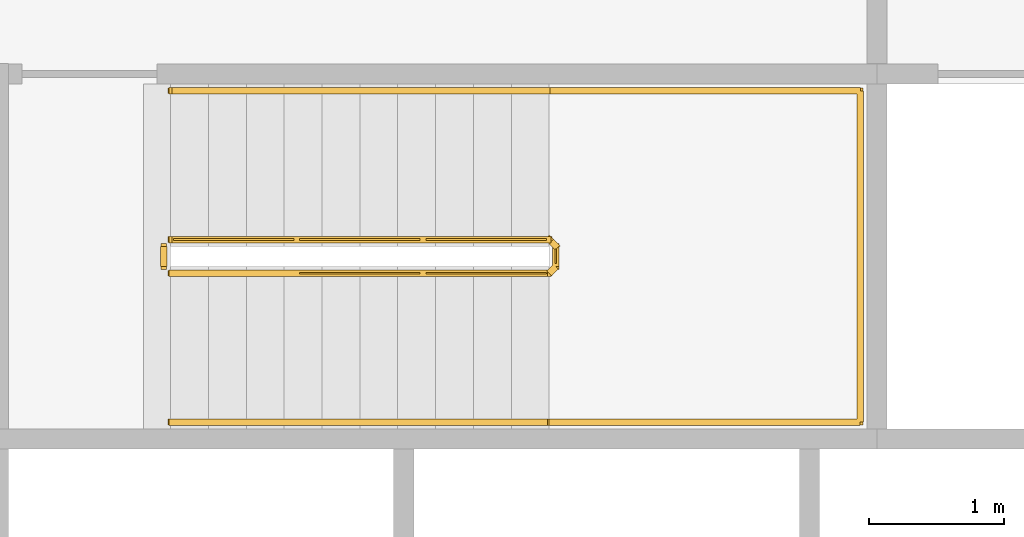
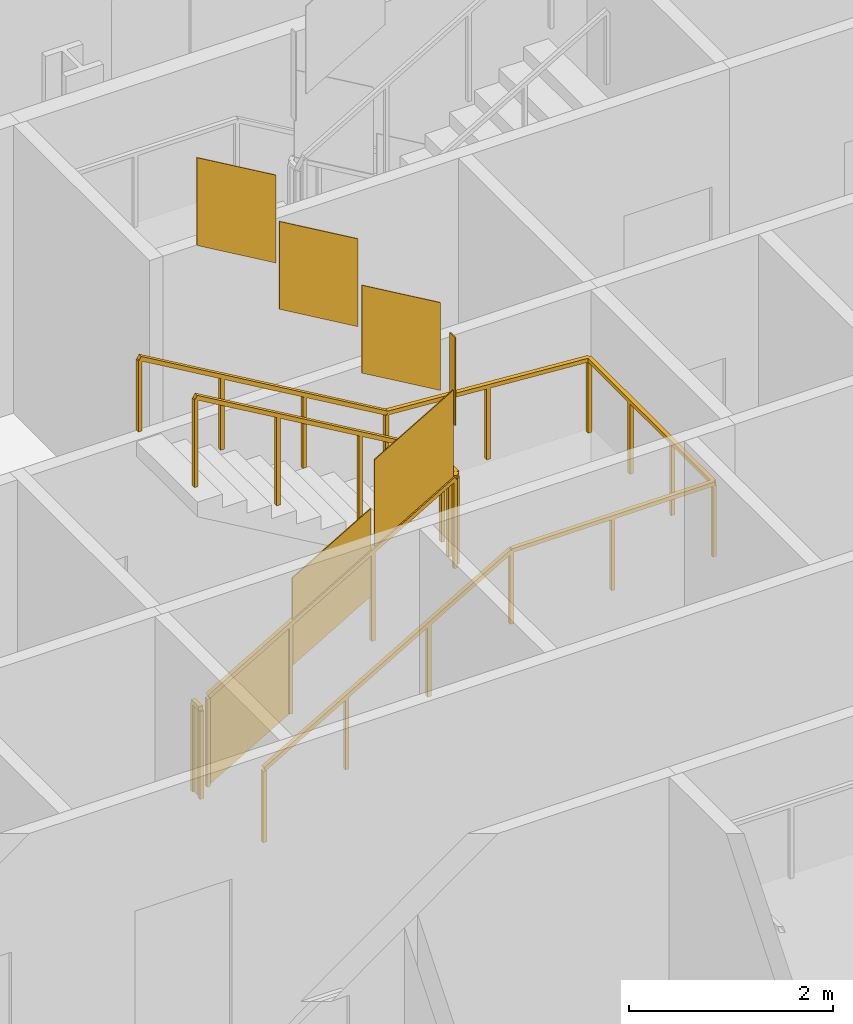
# One storey, part 16 of 21: 3 railings.
"""IFC4 building model written with IfcOpenShell, lengths in metres."""

from ifc_helpers import new_model, si_unit, direction, frame, origin, origin_2d, place, context, subcontext, project, spatial, polyline, rectangle, outline, extrude, material, type_object, element, save


model = new_model("IFC4")

# Units and contexts
model_context = context("Model", 3, precision=1e-05, world=origin(), true_north=direction((0.0, 1.0)))
body_context = subcontext(model_context, "Body", "Model", "MODEL_VIEW")
ifc_project = project(units=[si_unit("LENGTHUNIT", "METRE"), si_unit("AREAUNIT", "SQUARE_METRE"), si_unit("VOLUMEUNIT", "CUBIC_METRE"), si_unit("PLANEANGLEUNIT", "RADIAN"), si_unit("MASSUNIT", "GRAM", prefix="KILO")], contexts=[model_context])

# Site, building, storey
site_placement = place(None, origin())
site = spatial("IfcSite", under=ifc_project, at=site_placement, CompositionType="ELEMENT")
building_placement = place(site_placement, origin())
building = spatial("IfcBuilding", under=site, at=building_placement, Name="Cairn Pilgrim Tower", CompositionType="ELEMENT")
storey_placement = place(building_placement, frame((0.0, 0.0, 108.60009765625)))
storey = spatial("IfcBuildingStorey", under=building, at=storey_placement, Name="L26", CompositionType="ELEMENT", Elevation=108.60009765625)

# Railings
ifc_material = material(Name="Painted steel", Category="steel")
railing_type_1 = type_object("IfcRailingType", Name="STAIR GUARD 1100", PredefinedType="GUARDRAIL", material=ifc_material)
railing_1_placement = place(storey_placement, frame((4.47509765625, 3.425048828125, 0.16357421875)))
element("IfcRailing", 1, at=railing_1_placement, inside=storey, type_object=railing_type_1, Name="L26 ST-B stair guard 1", PredefinedType="GUARDRAIL", context=body_context, shape_type="SweptSolid", body=[
    extrude(rectangle(XDim=0.048095703125, YDim=0.048095703125, at=origin_2d()), frame((0.0, 0.0, 1.076171875), z_axis=(0.863374499697, 0.0, 0.504563646405), x_axis=(0.0, 1.0, 0.0)), (0.0, 0.0, 1.0), 3.242919921875),
    extrude(rectangle(XDim=0.048095703125, YDim=0.048095703125, at=origin_2d()), frame((2.7998046875, 0.0, 2.71240234375), z_axis=(0.707106781187, 0.707106781187, 0.0), x_axis=(-0.707106781187, 0.707106781187, 0.0)), (0.0, 0.0, 1.0), 0.07080078125),
    extrude(rectangle(XDim=0.048095703125, YDim=0.048095703125, at=origin_2d()), frame((2.849853515625, 0.050048828125, 2.71240234375), z_axis=(0.0, 1.0, 0.0), x_axis=(-1.0, 0.0, 0.0)), (0.0, 0.0, 1.0), 0.14990234375),
    extrude(rectangle(XDim=0.048095703125, YDim=0.048095703125, at=origin_2d()), frame((2.849853515625, 0.199951171875, 2.71240234375), z_axis=(-0.280456126637, 0.280456126637, 0.917980785237), x_axis=(-0.707106781187, -0.707106781187, 0.0)), (0.0, 0.0, 1.0), 0.178466796875),
    extrude(rectangle(XDim=0.048095703125, YDim=0.048095703125, at=origin_2d()), frame((2.7998046875, 0.25, 2.8759765625), z_axis=(-0.863374499697, 0.0, 0.504563646405), x_axis=(0.0, -1.0, 0.0)), (0.0, 0.0, 1.0), 3.242919921875),
    extrude(rectangle(XDim=0.0419921875, YDim=0.0419921875, at=origin_2d()), origin(), (0.0, 0.0, 1.0), 1.052001953125),
    extrude(rectangle(XDim=0.0419921875, YDim=0.0419921875, at=origin_2d()), frame((0.933349609375, 0.0, 0.54541015625)), (0.0, 0.0, 1.0), 1.052001953125),
    extrude(rectangle(XDim=0.0419921875, YDim=0.0419921875, at=origin_2d()), frame((1.866455078125, 0.0, 1.0908203125)), (0.0, 0.0, 1.0), 1.052001953125),
    extrude(rectangle(XDim=0.0419921875, YDim=0.0419921875, at=origin_2d()), frame((2.7998046875, 0.0, 1.63623046875)), (0.0, 0.0, 1.0), 1.052001953125),
    extrude(rectangle(XDim=0.0419921875, YDim=0.0419921875, at=origin_2d()), frame((2.849853515625, 0.050048828125, 1.63623046875)), (0.0, 0.0, 1.0), 1.052001953125),
    extrude(rectangle(XDim=0.0419921875, YDim=0.0419921875, at=origin_2d()), frame((2.849853515625, 0.199951171875, 1.63623046875)), (0.0, 0.0, 1.0), 1.052001953125),
    extrude(rectangle(XDim=0.0419921875, YDim=0.0419921875, at=origin_2d()), frame((2.7998046875, 0.25, 1.800048828125)), (0.0, 0.0, 1.0), 1.052001953125),
    extrude(rectangle(XDim=0.0419921875, YDim=0.0419921875, at=origin_2d()), frame((1.866455078125, 0.25, 2.345458984375)), (0.0, 0.0, 1.0), 1.052001953125),
    extrude(rectangle(XDim=0.0419921875, YDim=0.0419921875, at=origin_2d()), frame((0.933349609375, 0.25, 2.890869140625)), (0.0, 0.0, 1.0), 1.052001953125),
    extrude(rectangle(XDim=0.0419921875, YDim=0.0419921875, at=origin_2d()), frame((0.0, 0.25, 3.436279296875)), (0.0, 0.0, 1.0), 1.052001953125),
    extrude(outline(polyline([(0.02099609375, 0.01220703125), (0.912353515625, 0.533203125), (0.912353515625, 1.585205078125), (0.02099609375, 1.064208984375), (0.02099609375, 0.01220703125)])), frame((0.0, 0.005859375, 0.0), z_axis=(0.0, -1.0, 0.0), x_axis=(1.0, 0.0, 0.0)), (0.0, 0.0, 1.0), 0.011962890625),
    extrude(outline(polyline([(0.02099609375, 0.5576171875), (0.912353515625, 1.07861328125), (0.912353515625, 2.130615234375), (0.02099609375, 1.609619140625), (0.02099609375, 0.5576171875)])), frame((0.933349609375, 0.005859375, 0.54541015625), z_axis=(0.0, -1.0, 0.0), x_axis=(1.0, 0.0, 0.0)), (0.0, 0.0, 1.0), 0.011962890625),
    extrude(outline(polyline([(0.02099609375, 1.10302734375), (0.912353515625, 1.6240234375), (0.912353515625, 2.676025390625), (0.02099609375, 2.155029296875), (0.02099609375, 1.10302734375)])), frame((1.866455078125, 0.005859375, 1.0908203125), z_axis=(0.0, -1.0, 0.0), x_axis=(1.0, 0.0, 0.0)), (0.0, 0.0, 1.0), 0.011962890625),
    extrude(outline(polyline([(0.02099609375, 1.63623046875), (0.12890625, 1.63623046875), (0.12890625, 2.688232421875), (0.02099609375, 2.688232421875), (0.02099609375, 1.63623046875)])), frame((2.84375, 0.050048828125, 1.63623046875), z_axis=(1.0, 0.0, 0.0), x_axis=(0.0, 1.0, 0.0)), (0.0, 0.0, 1.0), 0.011962890625),
    extrude(outline(polyline([(0.02099609375, 1.812255859375), (0.912353515625, 2.333251953125), (0.912353515625, 3.38525390625), (0.02099609375, 2.8642578125), (0.02099609375, 1.812255859375)])), frame((2.7998046875, 0.244140625, 1.800048828125), z_axis=(0.0, 1.0, 0.0), x_axis=(-1.0, 0.0, 0.0)), (0.0, 0.0, 1.0), 0.011962890625),
    extrude(outline(polyline([(0.02099609375, 2.357666015625), (0.912353515625, 2.878662109375), (0.912353515625, 3.9306640625), (0.02099609375, 3.40966796875), (0.02099609375, 2.357666015625)])), frame((1.866455078125, 0.244140625, 2.345458984375), z_axis=(0.0, 1.0, 0.0), x_axis=(-1.0, 0.0, 0.0)), (0.0, 0.0, 1.0), 0.011962890625),
    extrude(outline(polyline([(0.02099609375, 2.903076171875), (0.912353515625, 3.424072265625), (0.912353515625, 4.47607421875), (0.02099609375, 3.955078125), (0.02099609375, 2.903076171875)])), frame((0.933349609375, 0.244140625, 2.890869140625), z_axis=(0.0, 1.0, 0.0), x_axis=(-1.0, 0.0, 0.0)), (0.0, 0.0, 1.0), 0.011962890625),
])
railing_2_placement = place(storey_placement, frame((4.425048828125, 3.47509765625, 0.0)))
element("IfcRailing", 2, at=railing_2_placement, inside=storey, type_object=railing_type_1, Name="L26 ST-B stair guard 2", PredefinedType="GUARDRAIL", context=body_context, shape_type="SweptSolid", body=[
    extrude(rectangle(XDim=0.048095703125, YDim=0.048095703125, at=origin_2d()), frame((0.0, 0.0, 1.076171875), z_axis=(0.0, 1.0, 0.0), x_axis=(-1.0, 0.0, 0.0)), (0.0, 0.0, 1.0), 0.14990234375),
    extrude(rectangle(XDim=0.0419921875, YDim=0.0419921875, at=origin_2d()), origin(), (0.0, 0.0, 1.0), 1.052001953125),
    extrude(rectangle(XDim=0.0419921875, YDim=0.0419921875, at=origin_2d()), frame((0.0, 0.14990234375, 0.0)), (0.0, 0.0, 1.0), 1.052001953125),
    extrude(outline(polyline([(0.02099609375, 0.0), (0.12890625, 0.0), (0.12890625, 1.052001953125), (0.02099609375, 1.052001953125), (0.02099609375, 0.0)])), frame((-0.005859375, 0.0, 0.0), z_axis=(1.0, 0.0, 0.0), x_axis=(0.0, 1.0, 0.0)), (0.0, 0.0, 1.0), 0.011962890625),
])
railing_type_2 = type_object("IfcRailingType", Name="STAIR HANDRAIL 900", PredefinedType="HANDRAIL", material=ifc_material)
railing_3_placement = place(storey_placement, frame((4.47509765625, 2.324951171875, 0.16357421875)))
element("IfcRailing", 3, at=railing_3_placement, inside=storey, type_object=railing_type_2, Name="L26 ST-B stair handrail 1", PredefinedType="HANDRAIL", context=body_context, shape_type="SweptSolid", body=[
    extrude(rectangle(XDim=0.048095703125, YDim=0.048095703125, at=origin_2d()), frame((0.0, 0.0, 0.8759765625), z_axis=(0.863374499697, 0.0, 0.504563646405), x_axis=(0.0, 1.0, 0.0)), (0.0, 0.0, 1.0), 3.242919921875),
    extrude(rectangle(XDim=0.048095703125, YDim=0.048095703125, at=origin_2d()), frame((2.7998046875, 0.0, 2.51220703125), z_axis=(1.0, 0.0, 0.0), x_axis=(0.0, 1.0, 0.0)), (0.0, 0.0, 1.0), 2.300048828125),
    extrude(rectangle(XDim=0.048095703125, YDim=0.048095703125, at=origin_2d()), frame((5.099853515625, 0.0, 2.51220703125), z_axis=(0.0, 1.0, 0.0), x_axis=(-1.0, 0.0, 0.0)), (0.0, 0.0, 1.0), 2.449951171875),
    extrude(rectangle(XDim=0.048095703125, YDim=0.048095703125, at=origin_2d()), frame((5.099853515625, 2.449951171875, 2.51220703125), z_axis=(-0.99747319029, 0.0, 0.071043892441), x_axis=(0.0, -1.0, 0.0)), (0.0, 0.0, 1.0), 2.305908203125),
    extrude(rectangle(XDim=0.048095703125, YDim=0.048095703125, at=origin_2d()), frame((2.7998046875, 2.449951171875, 2.67578125), z_axis=(-0.863374499697, 0.0, 0.504563646405), x_axis=(0.0, -1.0, 0.0)), (0.0, 0.0, 1.0), 3.242919921875),
    extrude(rectangle(XDim=0.0419921875, YDim=0.0419921875, at=origin_2d()), origin(), (0.0, 0.0, 1.0), 0.851806640625),
    extrude(rectangle(XDim=0.0419921875, YDim=0.0419921875, at=origin_2d()), frame((0.933349609375, 0.0, 0.54541015625)), (0.0, 0.0, 1.0), 0.851806640625),
    extrude(rectangle(XDim=0.0419921875, YDim=0.0419921875, at=origin_2d()), frame((1.866455078125, 0.0, 1.0908203125)), (0.0, 0.0, 1.0), 0.851806640625),
    extrude(rectangle(XDim=0.0419921875, YDim=0.0419921875, at=origin_2d()), frame((2.7998046875, 0.0, 1.63623046875)), (0.0, 0.0, 1.0), 0.851806640625),
    extrude(rectangle(XDim=0.0419921875, YDim=0.0419921875, at=origin_2d()), frame((3.94970703125, 0.0, 1.63623046875)), (0.0, 0.0, 1.0), 0.851806640625),
    extrude(rectangle(XDim=0.0419921875, YDim=0.0419921875, at=origin_2d()), frame((5.099853515625, 0.0, 1.63623046875)), (0.0, 0.0, 1.0), 0.851806640625),
    extrude(rectangle(XDim=0.0419921875, YDim=0.0419921875, at=origin_2d()), frame((5.099853515625, 0.816650390625, 1.63623046875)), (0.0, 0.0, 1.0), 0.851806640625),
    extrude(rectangle(XDim=0.0419921875, YDim=0.0419921875, at=origin_2d()), frame((5.099853515625, 1.63330078125, 1.63623046875)), (0.0, 0.0, 1.0), 0.851806640625),
    extrude(rectangle(XDim=0.0419921875, YDim=0.0419921875, at=origin_2d()), frame((5.099853515625, 2.449951171875, 1.63623046875)), (0.0, 0.0, 1.0), 0.851806640625),
    extrude(rectangle(XDim=0.0419921875, YDim=0.0419921875, at=origin_2d()), frame((3.94970703125, 2.449951171875, 1.71826171875)), (0.0, 0.0, 1.0), 0.851806640625),
    extrude(rectangle(XDim=0.0419921875, YDim=0.0419921875, at=origin_2d()), frame((2.7998046875, 2.449951171875, 1.800048828125)), (0.0, 0.0, 1.0), 0.851806640625),
    extrude(rectangle(XDim=0.0419921875, YDim=0.0419921875, at=origin_2d()), frame((1.866455078125, 2.449951171875, 2.345458984375)), (0.0, 0.0, 1.0), 0.851806640625),
    extrude(rectangle(XDim=0.0419921875, YDim=0.0419921875, at=origin_2d()), frame((0.933349609375, 2.449951171875, 2.890869140625)), (0.0, 0.0, 1.0), 0.851806640625),
    extrude(rectangle(XDim=0.0419921875, YDim=0.0419921875, at=origin_2d()), frame((0.0, 2.449951171875, 3.436279296875)), (0.0, 0.0, 1.0), 0.851806640625),
])

save(model, "model.ifc")
